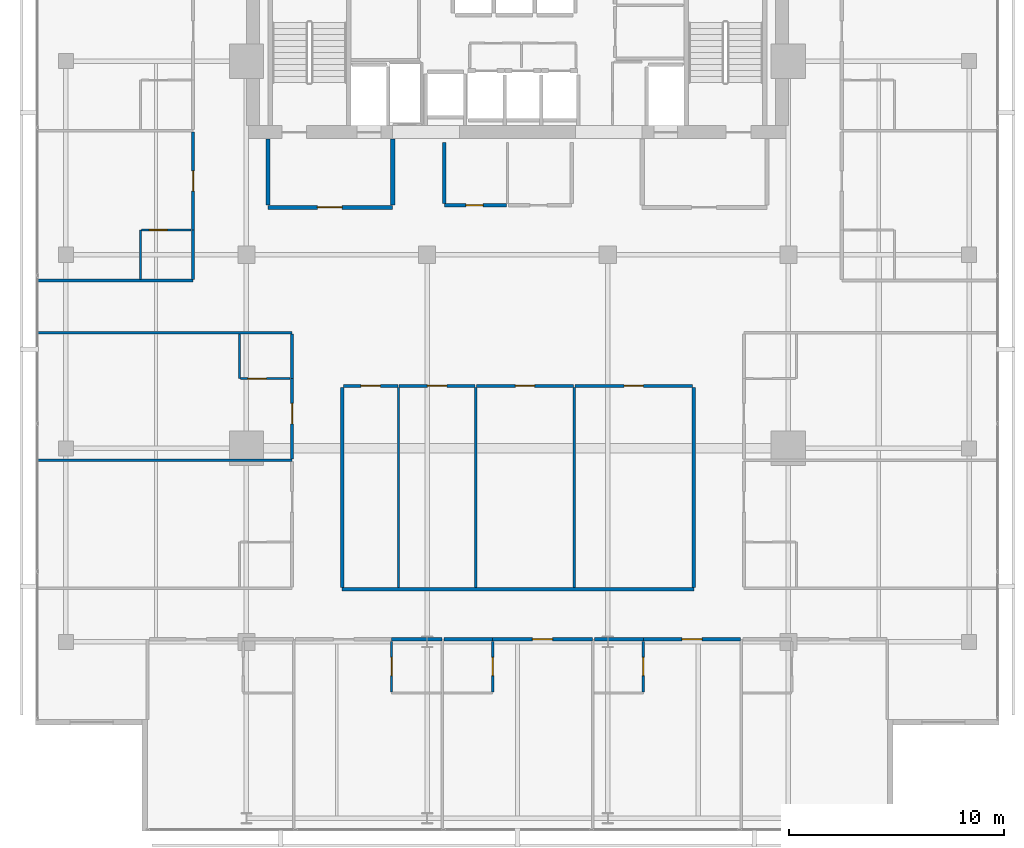
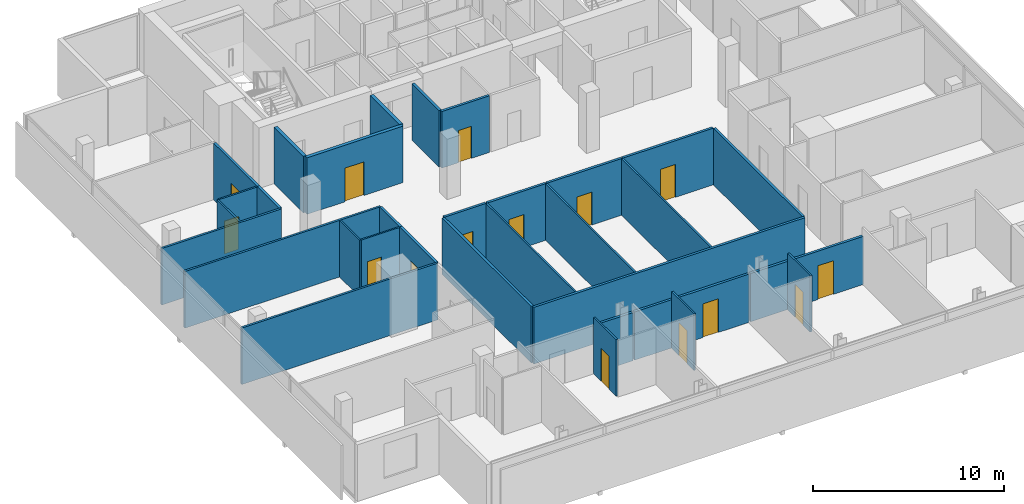
# One storey, part 20 of 26: 34 walls, 15 doors, 15 openings.
"""IFC4 building model written with IfcOpenShell, lengths in metres."""

from ifc_helpers import new_model, si_unit, direction, frame, frame_2d, origin, place, context, subcontext, project, spatial, rectangle, extrude, material, layer, layer_set, type_object, element, fill, save


model = new_model("IFC4")

# Units and contexts
model_context = context("Model", 3, precision=1e-05, world=origin(), true_north=direction((0.0, 1.0)))
body_context = subcontext(model_context, "Body", "Model", "MODEL_VIEW")
ifc_project = project(units=[si_unit("LENGTHUNIT", "METRE"), si_unit("AREAUNIT", "SQUARE_METRE"), si_unit("VOLUMEUNIT", "CUBIC_METRE"), si_unit("PLANEANGLEUNIT", "RADIAN"), si_unit("MASSUNIT", "GRAM", prefix="KILO")], contexts=[model_context])

# Site, building, storey
site_placement = place(None, origin())
site = spatial("IfcSite", under=ifc_project, at=site_placement, CompositionType="ELEMENT")
building_placement = place(site_placement, origin())
building = spatial("IfcBuilding", under=site, at=building_placement, Name="Maruvema Waterfront Hotel and Observation Tower", CompositionType="ELEMENT")
storey_placement = place(building_placement, frame((0.0, 0.0, 266.35009765625)))
storey = spatial("IfcBuildingStorey", under=building, at=storey_placement, Name="L65", CompositionType="ELEMENT", Elevation=266.35009765625)

# Wall, opening, door
ifc_material_1 = material(Name="Twin-stud acoustic gypsum drywall", Category="gypsum")
ifc_layer_1 = layer(ifc_material_1, 0.14990234375, Name="Acoustic Corridor and Suite Demising Wall 150 mm")
ifc_layer_set_1 = layer_set([ifc_layer_1], Name="Twin-stud acoustic gypsum drywall")
wall_type_1 = type_object("IfcWallType", Name="Acoustic Corridor and Suite Demising Wall 150 mm", PredefinedType="PARTITIONING", material=ifc_layer_set_1)
wall_1_placement = place(storey_placement, frame((34.39990234375, 38.300048828125, 0.0), z_axis=(0.0, 0.0, 1.0), x_axis=(1.0, 0.0, 0.0)))
wall_1 = element("IfcWall", 1, at=wall_1_placement, inside=storey, type_object=wall_type_1, Name="L65 Core Apron K2A South 026", PredefinedType="PARTITIONING", context=body_context, shape_type="SweptSolid", body=[
    extrude(rectangle(XDim=2.880126953125, YDim=0.14990234375, at=frame_2d((1.43994140625, 0.0))), origin(), (0.0, 0.0, 1.0), 3.60986328125),
])
opening_1_placement = place(wall_1_placement, frame((1.0, 0.0, 0.0)))
opening_1 = element("IfcOpeningElement", 2, at=opening_1_placement, cuts=wall_1, Name="Opening DR-080", PredefinedType="OPENING", context=body_context, shape_type="SweptSolid", body=[
    extrude(rectangle(XDim=0.800048828125, YDim=2.050048828125, at=frame_2d((0.39990234375, 1.02490234375))), frame((0.0, 0.0849609375, 0.0), z_axis=(0.0, -1.0, 0.0), x_axis=(1.0, 0.0, 0.0)), (0.0, 0.0, 1.0), 0.169921875),
])
ifc_material_2 = material(Name="Powder-coated steel access leaf", Category="steel")
door_type_1 = type_object("IfcDoorType", Name="Riser and Service Cupboard Door 800x2050 mm", OperationType="NOTDEFINED", PredefinedType="DOOR", material=ifc_material_2)
door_1_placement = place(opening_1_placement, frame((0.800048828125, 0.0, 0.0), z_axis=(0.0, 0.0, 1.0), x_axis=(-1.0, 0.0, 0.0)))
door_1 = element("IfcDoor", 3, at=door_1_placement, inside=storey, type_object=door_type_1, Name="L65 Core Ice Alcove Door", OperationType="SINGLE_SWING_LEFT", OverallHeight=2.050048828125, OverallWidth=0.800048828125, PredefinedType="DOOR", context=body_context, shape_type="SweptSolid", body=[
    extrude(rectangle(XDim=0.800048828125, YDim=2.050048828125, at=frame_2d((0.39990234375, 1.02490234375))), frame((0.0, 0.02490234375, 0.0), z_axis=(0.0, -1.0, 0.0), x_axis=(1.0, 0.0, 0.0)), (0.0, 0.0, 1.0), 0.050048828125),
])
fill(opening_1, door_1)

# Walls
wall_2_placement = place(storey_placement, frame((34.39990234375, 38.3798828125, 0.0), z_axis=(0.0, 0.0, 1.0), x_axis=(0.0, 1.0, 0.0)))
element("IfcWall", 4, at=wall_2_placement, inside=storey, type_object=wall_type_1, Name="L65 Core Apron K2 West 028", PredefinedType="PARTITIONING", context=body_context, shape_type="SweptSolid", body=[
    extrude(rectangle(XDim=2.840087890625, YDim=0.14990234375, at=frame_2d((1.419921875, 0.0))), origin(), (0.0, 0.0, 1.0), 3.60986328125),
])
wall_3_placement = place(storey_placement, frame((29.64990234375, 20.449951171875, 0.0), z_axis=(0.0, 0.0, 1.0), x_axis=(1.0, 0.0, 0.0)))
element("IfcWall", 5, at=wall_3_placement, inside=storey, type_object=wall_type_1, Name="L65 L65-Z3M Back Wall 031", PredefinedType="PARTITIONING", context=body_context, shape_type="SweptSolid", body=[
    extrude(rectangle(XDim=16.35009765625, YDim=0.14990234375, at=frame_2d((8.175048828125, 0.0))), origin(), (0.0, 0.0, 1.0), 3.60986328125),
])
for number, where, z_axis, x_axis, name in (
    (6, (29.64990234375, 20.530029296875, 0.0), (0.0, 0.0, 1.0), (0.0, 1.0, 0.0), "L65 L65-Z3M West Wall 032"),
    (7, (46.0, 20.530029296875, 0.0), (0.0, 0.0, 1.0), (0.0, 1.0, 0.0), "L65 L65-Z3M East Wall 033"),
):
    element("IfcWall", number, at=place(storey_placement, frame(where, z_axis=z_axis, x_axis=x_axis)), inside=storey, type_object=wall_type_1, Name=name, PredefinedType="PARTITIONING", context=body_context, shape_type="SweptSolid", body=[
        extrude(rectangle(XDim=9.2900390625, YDim=0.14990234375, at=frame_2d((4.64501953125, 0.0))), origin(), (0.0, 0.0, 1.0), 3.60986328125),
    ])

# Wall, opening, door
wall_4_placement = place(storey_placement, frame((29.7099609375, 29.89990234375, 0.0), z_axis=(0.0, 0.0, 1.0), x_axis=(1.0, 0.0, 0.0)))
wall_4 = element("IfcWall", 8, at=wall_4_placement, inside=storey, type_object=wall_type_1, Name="L65 L65-Z3M Front 1 034", PredefinedType="PARTITIONING", context=body_context, shape_type="SweptSolid", body=[
    extrude(rectangle(XDim=2.526123046875, YDim=0.14990234375, at=frame_2d((1.26318359375, 0.0))), origin(), (0.0, 0.0, 1.0), 3.60986328125),
])
opening_2_placement = place(wall_4_placement, frame((0.81298828125, 0.0, 0.0)))
opening_2 = element("IfcOpeningElement", 9, at=opening_2_placement, cuts=wall_4, Name="Opening DR-090", PredefinedType="OPENING", context=body_context, shape_type="SweptSolid", body=[
    extrude(rectangle(XDim=0.89990234375, YDim=2.10009765625, at=frame_2d((0.449951171875, 1.050048828125))), frame((0.0, 0.0849609375, 0.0), z_axis=(0.0, -1.0, 0.0), x_axis=(1.0, 0.0, 0.0)), (0.0, 0.0, 1.0), 0.169921875),
])
ifc_material_3 = material(Name="Solid-core lacquered timber leaf", Category="wood")
door_type_2 = type_object("IfcDoorType", Name="Accessible Toilet and Room Door 900x2100 mm", OperationType="NOTDEFINED", PredefinedType="DOOR", material=ifc_material_3)
door_2_placement = place(opening_2_placement, origin())
door_2 = element("IfcDoor", 10, at=door_2_placement, inside=storey, type_object=door_type_2, Name="L65 Meeting Salon 1 Door", OperationType="SINGLE_SWING_LEFT", OverallHeight=2.10009765625, OverallWidth=0.89990234375, PredefinedType="DOOR", context=body_context, shape_type="SweptSolid", body=[
    extrude(rectangle(XDim=0.89990234375, YDim=2.10009765625, at=frame_2d((0.449951171875, 1.050048828125))), frame((0.0, 0.02490234375, 0.0), z_axis=(0.0, -1.0, 0.0), x_axis=(1.0, 0.0, 0.0)), (0.0, 0.0, 1.0), 0.050048828125),
])
fill(opening_2, door_2)

wall_5_placement = place(storey_placement, frame((32.2958984375, 29.89990234375, 0.0), z_axis=(0.0, 0.0, 1.0), x_axis=(1.0, 0.0, 0.0)))
wall_5 = element("IfcWall", 11, at=wall_5_placement, inside=storey, type_object=wall_type_1, Name="L65 L65-Z3M Front 2 036", PredefinedType="PARTITIONING", context=body_context, shape_type="SweptSolid", body=[
    extrude(rectangle(XDim=3.537109375, YDim=0.14990234375, at=frame_2d((1.7685546875, 0.0))), origin(), (0.0, 0.0, 1.0), 3.60986328125),
])
opening_3_placement = place(wall_5_placement, frame((1.318603515625, 0.0, 0.0)))
opening_3 = element("IfcOpeningElement", 12, at=opening_3_placement, cuts=wall_5, Name="Opening DR-090", PredefinedType="OPENING", context=body_context, shape_type="SweptSolid", body=[
    extrude(rectangle(XDim=0.89990234375, YDim=2.10009765625, at=frame_2d((0.449951171875, 1.050048828125))), frame((0.0, 0.0849609375, 0.0), z_axis=(0.0, -1.0, 0.0), x_axis=(1.0, 0.0, 0.0)), (0.0, 0.0, 1.0), 0.169921875),
])
door_3_placement = place(opening_3_placement, origin())
door_3 = element("IfcDoor", 13, at=door_3_placement, inside=storey, type_object=door_type_2, Name="L65 Meeting Salon 2 Door", OperationType="SINGLE_SWING_RIGHT", OverallHeight=2.10009765625, OverallWidth=0.89990234375, PredefinedType="DOOR", context=body_context, shape_type="SweptSolid", body=[
    extrude(rectangle(XDim=0.89990234375, YDim=2.10009765625, at=frame_2d((0.449951171875, 1.050048828125))), frame((0.0, 0.02490234375, 0.0), z_axis=(0.0, -1.0, 0.0), x_axis=(1.0, 0.0, 0.0)), (0.0, 0.0, 1.0), 0.050048828125),
])
fill(opening_3, door_3)

wall_6_placement = place(storey_placement, frame((35.89306640625, 29.89990234375, 0.0), z_axis=(0.0, 0.0, 1.0), x_axis=(1.0, 0.0, 0.0)))
wall_6 = element("IfcWall", 14, at=wall_6_placement, inside=storey, type_object=wall_type_1, Name="L65 L65-Z3M Front 3 038", PredefinedType="PARTITIONING", context=body_context, shape_type="SweptSolid", body=[
    extrude(rectangle(XDim=4.517822265625, YDim=0.14990234375, at=frame_2d((2.2587890625, 0.0))), origin(), (0.0, 0.0, 1.0), 3.60986328125),
])
opening_4_placement = place(wall_6_placement, frame((1.80908203125, 0.0, 0.0)))
opening_4 = element("IfcOpeningElement", 15, at=opening_4_placement, cuts=wall_6, Name="Opening DR-090", PredefinedType="OPENING", context=body_context, shape_type="SweptSolid", body=[
    extrude(rectangle(XDim=0.89990234375, YDim=2.10009765625, at=frame_2d((0.449951171875, 1.050048828125))), frame((0.0, 0.0849609375, 0.0), z_axis=(0.0, -1.0, 0.0), x_axis=(1.0, 0.0, 0.0)), (0.0, 0.0, 1.0), 0.169921875),
])
door_4_placement = place(opening_4_placement, origin())
door_4 = element("IfcDoor", 16, at=door_4_placement, inside=storey, type_object=door_type_2, Name="L65 Meeting Salon 3 Door", OperationType="SINGLE_SWING_LEFT", OverallHeight=2.10009765625, OverallWidth=0.89990234375, PredefinedType="DOOR", context=body_context, shape_type="SweptSolid", body=[
    extrude(rectangle(XDim=0.89990234375, YDim=2.10009765625, at=frame_2d((0.449951171875, 1.050048828125))), frame((0.0, 0.02490234375, 0.0), z_axis=(0.0, -1.0, 0.0), x_axis=(1.0, 0.0, 0.0)), (0.0, 0.0, 1.0), 0.050048828125),
])
fill(opening_4, door_4)

wall_7_placement = place(storey_placement, frame((40.470947265625, 29.89990234375, 0.0), z_axis=(0.0, 0.0, 1.0), x_axis=(1.0, 0.0, 0.0)))
wall_7 = element("IfcWall", 17, at=wall_7_placement, inside=storey, type_object=wall_type_1, Name="L65 L65-Z3M Front 4 040", PredefinedType="PARTITIONING", context=body_context, shape_type="SweptSolid", body=[
    extrude(rectangle(XDim=5.468994140625, YDim=0.14990234375, at=frame_2d((2.734375, 0.0))), origin(), (0.0, 0.0, 1.0), 3.60986328125),
])
opening_5_placement = place(wall_7_placement, frame((2.284423828125, 0.0, 0.0)))
opening_5 = element("IfcOpeningElement", 18, at=opening_5_placement, cuts=wall_7, Name="Opening DR-090", PredefinedType="OPENING", context=body_context, shape_type="SweptSolid", body=[
    extrude(rectangle(XDim=0.89990234375, YDim=2.10009765625, at=frame_2d((0.449951171875, 1.050048828125))), frame((0.0, 0.0849609375, 0.0), z_axis=(0.0, -1.0, 0.0), x_axis=(1.0, 0.0, 0.0)), (0.0, 0.0, 1.0), 0.169921875),
])
door_5_placement = place(opening_5_placement, origin())
door_5 = element("IfcDoor", 19, at=door_5_placement, inside=storey, type_object=door_type_2, Name="L65 Tea Kitchenette Door", OperationType="SINGLE_SWING_RIGHT", OverallHeight=2.10009765625, OverallWidth=0.89990234375, PredefinedType="DOOR", context=body_context, shape_type="SweptSolid", body=[
    extrude(rectangle(XDim=0.89990234375, YDim=2.10009765625, at=frame_2d((0.449951171875, 1.050048828125))), frame((0.0, 0.02490234375, 0.0), z_axis=(0.0, -1.0, 0.0), x_axis=(1.0, 0.0, 0.0)), (0.0, 0.0, 1.0), 0.050048828125),
])
fill(opening_5, door_5)

# Walls
wall_8_placement = place(storey_placement, frame((31.949951171875, 18.1201171875, 0.0), z_axis=(0.0, 0.0, 1.0), x_axis=(1.0, 0.0, 0.0)))
element("IfcWall", 20, at=wall_8_placement, inside=storey, type_object=wall_type_1, Name="L65 Bath L65-S2 Back Wall 048", PredefinedType="PARTITIONING", context=body_context, shape_type="SweptSolid", body=[
    extrude(rectangle(XDim=2.330078125, YDim=0.14990234375, at=frame_2d((1.1650390625, 0.0))), origin(), (0.0, 0.0, 1.0), 3.076904296875),
])
wall_9_placement = place(storey_placement, frame((34.3798828125, 18.1201171875, 0.0), z_axis=(0.0, 0.0, 1.0), x_axis=(1.0, 0.0, 0.0)))
element("IfcWall", 21, at=wall_9_placement, inside=storey, type_object=wall_type_1, Name="L65 Bath L65-S3 Back Wall 053", PredefinedType="PARTITIONING", context=body_context, shape_type="SweptSolid", body=[
    extrude(rectangle(XDim=2.27001953125, YDim=0.14990234375, at=frame_2d((1.135009765625, 0.0))), origin(), (0.0, 0.0, 1.0), 3.076904296875),
])

# Wall, opening, door
wall_10_placement = place(storey_placement, frame((36.64990234375, 18.1201171875, 0.0), z_axis=(0.0, 0.0, 1.0), x_axis=(1.0, 0.0, 0.0)))
wall_10 = element("IfcWall", 22, at=wall_10_placement, inside=storey, type_object=wall_type_1, Name="L65 Unit L65-S3 Corridor Wall 056", PredefinedType="PARTITIONING", context=body_context, shape_type="SweptSolid", body=[
    extrude(rectangle(XDim=4.630126953125, YDim=0.14990234375, at=frame_2d((2.31494140625, 0.0))), origin(), (0.0, 0.0, 1.0), 3.076904296875),
])
opening_6_placement = place(wall_10_placement, frame((1.840087890625, 0.0, 0.0)))
opening_6 = element("IfcOpeningElement", 23, at=opening_6_placement, cuts=wall_10, Name="Opening DR-095", PredefinedType="OPENING", context=body_context, shape_type="SweptSolid", body=[
    extrude(rectangle(XDim=0.949951171875, YDim=2.14990234375, at=frame_2d((0.47509765625, 1.074951171875))), frame((0.0, 0.0849609375, 0.0), z_axis=(0.0, -1.0, 0.0), x_axis=(1.0, 0.0, 0.0)), (0.0, 0.0, 1.0), 0.169921875),
])
ifc_material_4 = material(Name="Acoustic solid-core hardwood timber leaf", Category="wood")
door_type_3 = type_object("IfcDoorType", Name="Guestroom Entrance Fire Door 950x2150 mm", OperationType="NOTDEFINED", PredefinedType="DOOR", material=ifc_material_4)
door_6_placement = place(opening_6_placement, frame((0.949951171875, 0.0, 0.0), z_axis=(0.0, 0.0, 1.0), x_axis=(-1.0, 0.0, 0.0)))
door_6 = element("IfcDoor", 24, at=door_6_placement, inside=storey, type_object=door_type_3, Name="L65 Unit L65-S3 Entrance Door", OperationType="SINGLE_SWING_RIGHT", OverallHeight=2.14990234375, OverallWidth=0.949951171875, PredefinedType="DOOR", context=body_context, shape_type="SweptSolid", body=[
    extrude(rectangle(XDim=0.949951171875, YDim=2.14990234375, at=frame_2d((0.47509765625, 1.074951171875))), frame((0.0, 0.02490234375, 0.0), z_axis=(0.0, -1.0, 0.0), x_axis=(1.0, 0.0, 0.0)), (0.0, 0.0, 1.0), 0.050048828125),
])
fill(opening_6, door_6)

# Wall
wall_11_placement = place(storey_placement, frame((41.3798828125, 18.1201171875, 0.0), z_axis=(0.0, 0.0, 1.0), x_axis=(1.0, 0.0, 0.0)))
element("IfcWall", 25, at=wall_11_placement, inside=storey, type_object=wall_type_1, Name="L65 Bath L65-S4 Back Wall 058", PredefinedType="PARTITIONING", context=body_context, shape_type="SweptSolid", body=[
    extrude(rectangle(XDim=2.27001953125, YDim=0.14990234375, at=frame_2d((1.135009765625, 0.0))), origin(), (0.0, 0.0, 1.0), 3.076904296875),
])

# Wall, opening, door
wall_12_placement = place(storey_placement, frame((43.64990234375, 18.1201171875, 0.0), z_axis=(0.0, 0.0, 1.0), x_axis=(1.0, 0.0, 0.0)))
wall_12 = element("IfcWall", 26, at=wall_12_placement, inside=storey, type_object=wall_type_1, Name="L65 Unit L65-S4 Corridor Wall 061", PredefinedType="PARTITIONING", context=body_context, shape_type="SweptSolid", body=[
    extrude(rectangle(XDim=4.530029296875, YDim=0.14990234375, at=frame_2d((2.26513671875, 0.0))), origin(), (0.0, 0.0, 1.0), 3.076904296875),
])
opening_7_placement = place(wall_12_placement, frame((1.7900390625, 0.0, 0.0)))
opening_7 = element("IfcOpeningElement", 27, at=opening_7_placement, cuts=wall_12, Name="Opening DR-095", PredefinedType="OPENING", context=body_context, shape_type="SweptSolid", body=[
    extrude(rectangle(XDim=0.949951171875, YDim=2.14990234375, at=frame_2d((0.47509765625, 1.074951171875))), frame((0.0, 0.0849609375, 0.0), z_axis=(0.0, -1.0, 0.0), x_axis=(1.0, 0.0, 0.0)), (0.0, 0.0, 1.0), 0.169921875),
])
door_7_placement = place(opening_7_placement, frame((0.949951171875, 0.0, 0.0), z_axis=(0.0, 0.0, 1.0), x_axis=(-1.0, 0.0, 0.0)))
door_7 = element("IfcDoor", 28, at=door_7_placement, inside=storey, type_object=door_type_3, Name="L65 Unit L65-S4 Entrance Door", OperationType="SINGLE_SWING_RIGHT", OverallHeight=2.14990234375, OverallWidth=0.949951171875, PredefinedType="DOOR", context=body_context, shape_type="SweptSolid", body=[
    extrude(rectangle(XDim=0.949951171875, YDim=2.14990234375, at=frame_2d((0.47509765625, 1.074951171875))), frame((0.0, 0.02490234375, 0.0), z_axis=(0.0, -1.0, 0.0), x_axis=(1.0, 0.0, 0.0)), (0.0, 0.0, 1.0), 0.050048828125),
])
fill(opening_7, door_7)

wall_13_placement = place(storey_placement, frame((27.320068359375, 26.5, 0.0), z_axis=(0.0, 0.0, 1.0), x_axis=(0.0, 1.0, 0.0)))
wall_13 = element("IfcWall", 29, at=wall_13_placement, inside=storey, type_object=wall_type_1, Name="L65 Room L65-W2 Corridor Wall 081", PredefinedType="PARTITIONING", context=body_context, shape_type="SweptSolid", body=[
    extrude(rectangle(XDim=3.739990234375, YDim=0.14990234375, at=frame_2d((1.8701171875, 0.0))), origin(), (0.0, 0.0, 1.0), 3.60986328125),
])
opening_8_placement = place(wall_13_placement, frame((1.635009765625, 0.0, 0.0)))
opening_8 = element("IfcOpeningElement", 30, at=opening_8_placement, cuts=wall_13, Name="Opening DR-095", PredefinedType="OPENING", context=body_context, shape_type="SweptSolid", body=[
    extrude(rectangle(XDim=0.949951171875, YDim=2.14990234375, at=frame_2d((0.47509765625, 1.074951171875))), frame((0.0, 0.0849609375, 0.0), z_axis=(0.0, -1.0, 0.0), x_axis=(1.0, 0.0, 0.0)), (0.0, 0.0, 1.0), 0.169921875),
])
door_8_placement = place(opening_8_placement, origin())
door_8 = element("IfcDoor", 31, at=door_8_placement, inside=storey, type_object=door_type_3, Name="L65 Room L65-W2 Entrance Door", OperationType="SINGLE_SWING_RIGHT", OverallHeight=2.14990234375, OverallWidth=0.949951171875, PredefinedType="DOOR", context=body_context, shape_type="SweptSolid", body=[
    extrude(rectangle(XDim=0.949951171875, YDim=2.14990234375, at=frame_2d((0.47509765625, 1.074951171875))), frame((0.0, 0.02490234375, 0.0), z_axis=(0.0, -1.0, 0.0), x_axis=(1.0, 0.0, 0.0)), (0.0, 0.0, 1.0), 0.050048828125),
])
fill(opening_8, door_8)

# Walls
wall_14_placement = place(storey_placement, frame((27.320068359375, 30.239990234375, 0.0), z_axis=(0.0, 0.0, 1.0), x_axis=(0.0, 1.0, 0.0)))
element("IfcWall", 32, at=wall_14_placement, inside=storey, type_object=wall_type_1, Name="L65 Bath L65-W2 Wall 082", PredefinedType="PARTITIONING", context=body_context, shape_type="SweptSolid", body=[
    extrude(rectangle(XDim=2.080078125, YDim=0.14990234375, at=frame_2d((1.0400390625, 0.0))), origin(), (0.0, 0.0, 1.0), 3.60986328125),
])
wall_15_placement = place(storey_placement, frame((22.719970703125, 34.860107421875, 0.0), z_axis=(0.0, 0.0, 1.0), x_axis=(0.0, 1.0, 0.0)))
element("IfcWall", 33, at=wall_15_placement, inside=storey, type_object=wall_type_1, Name="L65 Bath L65-NW1 Wall 093", PredefinedType="PARTITIONING", context=body_context, shape_type="SweptSolid", body=[
    extrude(rectangle(XDim=2.289794921875, YDim=0.14990234375, at=frame_2d((1.14501953125, 0.0))), origin(), (0.0, 0.0, 1.0), 3.60986328125),
])

# Wall, opening, door
wall_16_placement = place(storey_placement, frame((22.719970703125, 37.14990234375, 0.0), z_axis=(0.0, 0.0, 1.0), x_axis=(0.0, 1.0, 0.0)))
wall_16 = element("IfcWall", 34, at=wall_16_placement, inside=storey, type_object=wall_type_1, Name="L65 Room L65-NW1 Corridor Wall 094", PredefinedType="PARTITIONING", context=body_context, shape_type="SweptSolid", body=[
    extrude(rectangle(XDim=4.558837890625, YDim=0.14990234375, at=frame_2d((2.279296875, 0.0))), origin(), (0.0, 0.0, 1.0), 3.60986328125),
])
opening_9_placement = place(wall_16_placement, frame((1.804443359375, 0.0, 0.0)))
opening_9 = element("IfcOpeningElement", 35, at=opening_9_placement, cuts=wall_16, Name="Opening DR-095", PredefinedType="OPENING", context=body_context, shape_type="SweptSolid", body=[
    extrude(rectangle(XDim=0.949951171875, YDim=2.14990234375, at=frame_2d((0.47509765625, 1.074951171875))), frame((0.0, 0.0849609375, 0.0), z_axis=(0.0, -1.0, 0.0), x_axis=(1.0, 0.0, 0.0)), (0.0, 0.0, 1.0), 0.169921875),
])
door_9_placement = place(opening_9_placement, origin())
door_9 = element("IfcDoor", 36, at=door_9_placement, inside=storey, type_object=door_type_3, Name="L65 Room L65-NW1 Entrance Door", OperationType="SINGLE_SWING_RIGHT", OverallHeight=2.14990234375, OverallWidth=0.949951171875, PredefinedType="DOOR", context=body_context, shape_type="SweptSolid", body=[
    extrude(rectangle(XDim=0.949951171875, YDim=2.14990234375, at=frame_2d((0.47509765625, 1.074951171875))), frame((0.0, 0.02490234375, 0.0), z_axis=(0.0, -1.0, 0.0), x_axis=(1.0, 0.0, 0.0)), (0.0, 0.0, 1.0), 0.050048828125),
])
fill(opening_9, door_9)

# Walls
ifc_material_5 = material(Name="Moisture-resistant cement-board drywall", Category="gypsum")
ifc_layer_2 = layer(ifc_material_5, 0.10009765625, Name="En-Suite Moisture-Resistant Partition 100 mm")
ifc_layer_set_2 = layer_set([ifc_layer_2], Name="Moisture-resistant cement-board drywall")
wall_type_2 = type_object("IfcWallType", Name="En-Suite Moisture-Resistant Partition 100 mm", PredefinedType="PARTITIONING", material=ifc_layer_set_2)
for number, where, z_axis, x_axis, name in (
    (37, (32.26611328125, 20.530029296875, 0.0), (0.0, 0.0, 1.0), (0.0, 1.0, 0.0), "L65 L65-Z3M Split 1 035"),
    (38, (35.863037109375, 20.530029296875, 0.0), (0.0, 0.0, 1.0), (0.0, 1.0, 0.0), "L65 L65-Z3M Split 2 037"),
    (39, (40.44091796875, 20.530029296875, 0.0), (0.0, 0.0, 1.0), (0.0, 1.0, 0.0), "L65 L65-Z3M Split 3 039"),
):
    element("IfcWall", number, at=place(storey_placement, frame(where, z_axis=z_axis, x_axis=x_axis)), inside=storey, type_object=wall_type_2, Name=name, PredefinedType="PARTITIONING", context=body_context, shape_type="SweptSolid", body=[
        extrude(rectangle(XDim=9.2900390625, YDim=0.10009765625, at=frame_2d((4.64501953125, 0.0))), origin(), (0.0, 0.0, 1.0), 3.60986328125),
    ])

# Wall, opening, door
wall_17_placement = place(storey_placement, frame((31.949951171875, 15.679931640625, 0.0), z_axis=(0.0, 0.0, 1.0), x_axis=(0.0, 1.0, 0.0)))
wall_17 = element("IfcWall", 40, at=wall_17_placement, inside=storey, type_object=wall_type_2, Name="L65 En-Suite L65-S2 West 050", PredefinedType="PARTITIONING", context=body_context, shape_type="SweptSolid", body=[
    extrude(rectangle(XDim=2.340087890625, YDim=0.10009765625, at=frame_2d((1.169921875, 0.0))), origin(), (0.0, 0.0, 1.0), 3.60986328125),
])
opening_10_placement = place(wall_17_placement, frame((0.7451171875, 0.0, 0.0)))
opening_10 = element("IfcOpeningElement", 41, at=opening_10_placement, cuts=wall_17, Name="Opening DR-085", PredefinedType="OPENING", context=body_context, shape_type="SweptSolid", body=[
    extrude(rectangle(XDim=0.85009765625, YDim=2.10009765625, at=frame_2d((0.425048828125, 1.050048828125))), frame((0.0, 0.06005859375, 0.0), z_axis=(0.0, -1.0, 0.0), x_axis=(1.0, 0.0, 0.0)), (0.0, 0.0, 1.0), 0.1201171875),
])
ifc_material_6 = material(Name="Moisture-resistant solid timber leaf", Category="wood")
door_type_4 = type_object("IfcDoorType", Name="En-Suite Bathroom Door 850x2100 mm", OperationType="NOTDEFINED", PredefinedType="DOOR", material=ifc_material_6)
door_10_placement = place(opening_10_placement, origin())
door_10 = element("IfcDoor", 42, at=door_10_placement, inside=storey, type_object=door_type_4, Name="L65 En-Suite L65-S2 Door", OperationType="SINGLE_SWING_LEFT", OverallHeight=2.10009765625, OverallWidth=0.85009765625, PredefinedType="DOOR", context=body_context, shape_type="SweptSolid", body=[
    extrude(rectangle(XDim=0.85009765625, YDim=2.10009765625, at=frame_2d((0.425048828125, 1.050048828125))), frame((0.0, 0.02490234375, 0.0), z_axis=(0.0, -1.0, 0.0), x_axis=(1.0, 0.0, 0.0)), (0.0, 0.0, 1.0), 0.050048828125),
])
fill(opening_10, door_10)

wall_18_placement = place(storey_placement, frame((36.64990234375, 15.679931640625, 0.0), z_axis=(0.0, 0.0, 1.0), x_axis=(0.0, 1.0, 0.0)))
wall_18 = element("IfcWall", 43, at=wall_18_placement, inside=storey, type_object=wall_type_2, Name="L65 En-Suite L65-S3 East 055", PredefinedType="PARTITIONING", context=body_context, shape_type="SweptSolid", body=[
    extrude(rectangle(XDim=2.340087890625, YDim=0.10009765625, at=frame_2d((1.169921875, 0.0))), origin(), (0.0, 0.0, 1.0), 3.60986328125),
])
opening_11_placement = place(wall_18_placement, frame((0.7451171875, 0.0, 0.0)))
opening_11 = element("IfcOpeningElement", 44, at=opening_11_placement, cuts=wall_18, Name="Opening DR-085", PredefinedType="OPENING", context=body_context, shape_type="SweptSolid", body=[
    extrude(rectangle(XDim=0.85009765625, YDim=2.10009765625, at=frame_2d((0.425048828125, 1.050048828125))), frame((0.0, 0.06005859375, 0.0), z_axis=(0.0, -1.0, 0.0), x_axis=(1.0, 0.0, 0.0)), (0.0, 0.0, 1.0), 0.1201171875),
])
door_11_placement = place(opening_11_placement, frame((0.85009765625, 0.0, 0.0), z_axis=(0.0, 0.0, 1.0), x_axis=(-1.0, 0.0, 0.0)))
door_11 = element("IfcDoor", 45, at=door_11_placement, inside=storey, type_object=door_type_4, Name="L65 En-Suite L65-S3 Door", OperationType="SINGLE_SWING_LEFT", OverallHeight=2.10009765625, OverallWidth=0.85009765625, PredefinedType="DOOR", context=body_context, shape_type="SweptSolid", body=[
    extrude(rectangle(XDim=0.85009765625, YDim=2.10009765625, at=frame_2d((0.425048828125, 1.050048828125))), frame((0.0, 0.02490234375, 0.0), z_axis=(0.0, -1.0, 0.0), x_axis=(1.0, 0.0, 0.0)), (0.0, 0.0, 1.0), 0.050048828125),
])
fill(opening_11, door_11)

wall_19_placement = place(storey_placement, frame((43.64990234375, 15.679931640625, 0.0), z_axis=(0.0, 0.0, 1.0), x_axis=(0.0, 1.0, 0.0)))
wall_19 = element("IfcWall", 46, at=wall_19_placement, inside=storey, type_object=wall_type_2, Name="L65 En-Suite L65-S4 East 060", PredefinedType="PARTITIONING", context=body_context, shape_type="SweptSolid", body=[
    extrude(rectangle(XDim=2.340087890625, YDim=0.10009765625, at=frame_2d((1.169921875, 0.0))), origin(), (0.0, 0.0, 1.0), 3.60986328125),
])
opening_12_placement = place(wall_19_placement, frame((0.7451171875, 0.0, 0.0)))
opening_12 = element("IfcOpeningElement", 47, at=opening_12_placement, cuts=wall_19, Name="Opening DR-085", PredefinedType="OPENING", context=body_context, shape_type="SweptSolid", body=[
    extrude(rectangle(XDim=0.85009765625, YDim=2.10009765625, at=frame_2d((0.425048828125, 1.050048828125))), frame((0.0, 0.06005859375, 0.0), z_axis=(0.0, -1.0, 0.0), x_axis=(1.0, 0.0, 0.0)), (0.0, 0.0, 1.0), 0.1201171875),
])
door_12_placement = place(opening_12_placement, frame((0.85009765625, 0.0, 0.0), z_axis=(0.0, 0.0, 1.0), x_axis=(-1.0, 0.0, 0.0)))
door_12 = element("IfcDoor", 48, at=door_12_placement, inside=storey, type_object=door_type_4, Name="L65 En-Suite L65-S4 Door", OperationType="SINGLE_SWING_LEFT", OverallHeight=2.10009765625, OverallWidth=0.85009765625, PredefinedType="DOOR", context=body_context, shape_type="SweptSolid", body=[
    extrude(rectangle(XDim=0.85009765625, YDim=2.10009765625, at=frame_2d((0.425048828125, 1.050048828125))), frame((0.0, 0.02490234375, 0.0), z_axis=(0.0, -1.0, 0.0), x_axis=(1.0, 0.0, 0.0)), (0.0, 0.0, 1.0), 0.050048828125),
])
fill(opening_12, door_12)

# Wall
wall_20_placement = place(storey_placement, frame((24.8701171875, 30.239990234375, 0.0), z_axis=(0.0, 0.0, 1.0), x_axis=(0.0, 1.0, 0.0)))
element("IfcWall", 49, at=wall_20_placement, inside=storey, type_object=wall_type_2, Name="L65 En-Suite L65-W2 W 083", PredefinedType="PARTITIONING", context=body_context, shape_type="SweptSolid", body=[
    extrude(rectangle(XDim=2.080078125, YDim=0.10009765625, at=frame_2d((1.0400390625, 0.0))), origin(), (0.0, 0.0, 1.0), 3.60986328125),
])

# Wall, opening, door
wall_21_placement = place(storey_placement, frame((24.919921875, 30.239990234375, 0.0), z_axis=(0.0, 0.0, 1.0), x_axis=(1.0, 0.0, 0.0)))
wall_21 = element("IfcWall", 50, at=wall_21_placement, inside=storey, type_object=wall_type_2, Name="L65 En-Suite L65-W2 S 084", PredefinedType="PARTITIONING", context=body_context, shape_type="SweptSolid", body=[
    extrude(rectangle(XDim=2.300048828125, YDim=0.10009765625, at=frame_2d((1.14990234375, 0.0))), origin(), (0.0, 0.0, 1.0), 3.60986328125),
])
opening_13_placement = place(wall_21_placement, frame((0.35009765625, 0.0, 0.0)))
opening_13 = element("IfcOpeningElement", 51, at=opening_13_placement, cuts=wall_21, Name="Opening DR-085", PredefinedType="OPENING", context=body_context, shape_type="SweptSolid", body=[
    extrude(rectangle(XDim=0.85009765625, YDim=2.10009765625, at=frame_2d((0.425048828125, 1.050048828125))), frame((0.0, 0.06005859375, 0.0), z_axis=(0.0, -1.0, 0.0), x_axis=(1.0, 0.0, 0.0)), (0.0, 0.0, 1.0), 0.1201171875),
])
door_13_placement = place(opening_13_placement, frame((0.85009765625, 0.0, 0.0), z_axis=(0.0, 0.0, 1.0), x_axis=(-1.0, 0.0, 0.0)))
door_13 = element("IfcDoor", 52, at=door_13_placement, inside=storey, type_object=door_type_4, Name="L65 En-Suite L65-W2 Door", OperationType="SINGLE_SWING_LEFT", OverallHeight=2.10009765625, OverallWidth=0.85009765625, PredefinedType="DOOR", context=body_context, shape_type="SweptSolid", body=[
    extrude(rectangle(XDim=0.85009765625, YDim=2.10009765625, at=frame_2d((0.425048828125, 1.050048828125))), frame((0.0, 0.02490234375, 0.0), z_axis=(0.0, -1.0, 0.0), x_axis=(1.0, 0.0, 0.0)), (0.0, 0.0, 1.0), 0.050048828125),
])
fill(opening_13, door_13)

# Wall
wall_22_placement = place(storey_placement, frame((20.27001953125, 34.860107421875, 0.0), z_axis=(0.0, 0.0, 1.0), x_axis=(0.0, 1.0, 0.0)))
element("IfcWall", 53, at=wall_22_placement, inside=storey, type_object=wall_type_2, Name="L65 En-Suite L65-NW1 W 095", PredefinedType="PARTITIONING", context=body_context, shape_type="SweptSolid", body=[
    extrude(rectangle(XDim=2.289794921875, YDim=0.10009765625, at=frame_2d((1.14501953125, 0.0))), origin(), (0.0, 0.0, 1.0), 3.60986328125),
])

# Wall, opening, door
wall_23_placement = place(storey_placement, frame((20.320068359375, 37.14990234375, 0.0), z_axis=(0.0, 0.0, 1.0), x_axis=(1.0, 0.0, 0.0)))
wall_23 = element("IfcWall", 54, at=wall_23_placement, inside=storey, type_object=wall_type_2, Name="L65 En-Suite L65-NW1 N 096", PredefinedType="PARTITIONING", context=body_context, shape_type="SweptSolid", body=[
    extrude(rectangle(XDim=2.300048828125, YDim=0.10009765625, at=frame_2d((1.14990234375, 0.0))), origin(), (0.0, 0.0, 1.0), 3.60986328125),
])
opening_14_placement = place(wall_23_placement, frame((0.35009765625, 0.0, 0.0)))
opening_14 = element("IfcOpeningElement", 55, at=opening_14_placement, cuts=wall_23, Name="Opening DR-085", PredefinedType="OPENING", context=body_context, shape_type="SweptSolid", body=[
    extrude(rectangle(XDim=0.85009765625, YDim=2.10009765625, at=frame_2d((0.425048828125, 1.050048828125))), frame((0.0, 0.06005859375, 0.0), z_axis=(0.0, -1.0, 0.0), x_axis=(1.0, 0.0, 0.0)), (0.0, 0.0, 1.0), 0.1201171875),
])
door_14_placement = place(opening_14_placement, origin())
door_14 = element("IfcDoor", 56, at=door_14_placement, inside=storey, type_object=door_type_4, Name="L65 En-Suite L65-NW1 Door", OperationType="SINGLE_SWING_LEFT", OverallHeight=2.10009765625, OverallWidth=0.85009765625, PredefinedType="DOOR", context=body_context, shape_type="SweptSolid", body=[
    extrude(rectangle(XDim=0.85009765625, YDim=2.10009765625, at=frame_2d((0.425048828125, 1.050048828125))), frame((0.0, 0.02490234375, 0.0), z_axis=(0.0, -1.0, 0.0), x_axis=(1.0, 0.0, 0.0)), (0.0, 0.0, 1.0), 0.050048828125),
])
fill(opening_14, door_14)

ifc_material_7 = material(Name="Autoclaved cellular concrete blockwork", Category="masonry")
ifc_layer_3 = layer(ifc_material_7, 0.199951171875, Name="Fire Compartment Masonry Wall 200 mm")
ifc_layer_set_3 = layer_set([ifc_layer_3], Name="Autoclaved cellular concrete blockwork")
wall_type_3 = type_object("IfcWallType", Name="Fire Compartment Masonry Wall 200 mm", PredefinedType="PARTITIONING", material=ifc_layer_set_3)
wall_24_placement = place(storey_placement, frame((26.199951171875, 38.199951171875, 0.0), z_axis=(0.0, 0.0, 1.0), x_axis=(1.0, 0.0, 0.0)))
wall_24 = element("IfcWall", 57, at=wall_24_placement, inside=storey, type_object=wall_type_3, Name="L65 FFL West South Wall 001", PredefinedType="PARTITIONING", context=body_context, shape_type="SweptSolid", body=[
    extrude(rectangle(XDim=5.800048828125, YDim=0.199951171875, at=frame_2d((2.89990234375, 0.0))), origin(), (0.0, 0.0, 1.0), 3.60986328125),
])
opening_15_placement = place(wall_24_placement, frame((2.300048828125, 0.0, 0.0)))
opening_15 = element("IfcOpeningElement", 58, at=opening_15_placement, cuts=wall_24, Name="Opening FD-115", PredefinedType="OPENING", context=body_context, shape_type="SweptSolid", body=[
    extrude(rectangle(XDim=1.14990234375, YDim=2.14990234375, at=frame_2d((0.574951171875, 1.074951171875))), frame((0.0, 0.10986328125, 0.0), z_axis=(0.0, -1.0, 0.0), x_axis=(1.0, 0.0, 0.0)), (0.0, 0.0, 1.0), 0.219970703125),
])
ifc_material_8 = material(Name="Fire-rated galvanised steel and vision glass", Category="steel")
door_type_5 = type_object("IfcDoorType", Name="Firefighting Lobby Fire Door 1150x2150 mm", OperationType="NOTDEFINED", PredefinedType="DOOR", material=ifc_material_8)
door_15_placement = place(opening_15_placement, frame((1.14990234375, 0.0, 0.0), z_axis=(0.0, 0.0, 1.0), x_axis=(-1.0, 0.0, 0.0)))
door_15 = element("IfcDoor", 59, at=door_15_placement, inside=storey, type_object=door_type_5, Name="L65 Firefighting Lobby West Door", OperationType="SINGLE_SWING_LEFT", OverallHeight=2.14990234375, OverallWidth=1.14990234375, PredefinedType="DOOR", context=body_context, shape_type="SweptSolid", body=[
    extrude(rectangle(XDim=1.14990234375, YDim=2.14990234375, at=frame_2d((0.574951171875, 1.074951171875))), frame((0.0, 0.02490234375, 0.0), z_axis=(0.0, -1.0, 0.0), x_axis=(1.0, 0.0, 0.0)), (0.0, 0.0, 1.0), 0.050048828125),
])
fill(opening_15, door_15)

# Walls
for number, where, z_axis, x_axis, name in (
    (60, (26.199951171875, 38.31005859375, 0.0), (0.0, 0.0, 1.0), (0.0, 1.0, 0.0), "L65 FFL West West Wall 002"),
    (61, (32.0, 38.31005859375, 0.0), (0.0, 0.0, 1.0), (0.0, 1.0, 0.0), "L65 FFL West East Wall 003"),
):
    element("IfcWall", number, at=place(storey_placement, frame(where, z_axis=z_axis, x_axis=x_axis)), inside=storey, type_object=wall_type_3, Name=name, PredefinedType="PARTITIONING", context=body_context, shape_type="SweptSolid", body=[
        extrude(rectangle(XDim=3.06982421875, YDim=0.199951171875, at=frame_2d((1.534912109375, 0.0))), origin(), (0.0, 0.0, 1.0), 3.60986328125),
    ])
ifc_material_9 = material(Name="Acoustic gypsum plasterboard drywall", Category="gypsum")
ifc_layer_4 = layer(ifc_material_9, 0.125, Name="Guestroom Acoustic Demising Wall 125 mm")
ifc_layer_set_4 = layer_set([ifc_layer_4], Name="Acoustic gypsum plasterboard drywall")
wall_type_4 = type_object("IfcWallType", Name="Guestroom Acoustic Demising Wall 125 mm", PredefinedType="PARTITIONING", material=ifc_layer_set_4)
for number, where, z_axis, x_axis, name in (
    (62, (15.5, 32.3798828125, 0.0), (0.0, 0.0, 1.0), (1.0, 0.0, 0.0), "L65 Z3 W Top End 069"),
    (63, (15.5, 26.43994140625, 0.0), (0.0, 0.0, 1.0), (1.0, 0.0, 0.0), "L65 Z3 W Demising 2 079"),
):
    element("IfcWall", number, at=place(storey_placement, frame(where, z_axis=z_axis, x_axis=x_axis)), inside=storey, type_object=wall_type_4, Name=name, PredefinedType="PARTITIONING", context=body_context, shape_type="SweptSolid", body=[
        extrude(rectangle(XDim=11.820068359375, YDim=0.125, at=frame_2d((5.91015625, 0.0))), origin(), (0.0, 0.0, 1.0), 3.60986328125),
    ])
wall_25_placement = place(storey_placement, frame((15.5, 34.800048828125, 0.0), z_axis=(0.0, 0.0, 1.0), x_axis=(1.0, 0.0, 0.0)))
element("IfcWall", 64, at=wall_25_placement, inside=storey, type_object=wall_type_4, Name="L65 Z3 NW Bot End 089", PredefinedType="PARTITIONING", context=body_context, shape_type="SweptSolid", body=[
    extrude(rectangle(XDim=7.219970703125, YDim=0.125, at=frame_2d((3.60986328125, 0.0))), origin(), (0.0, 0.0, 1.0), 3.60986328125),
])

save(model, "model.ifc")
